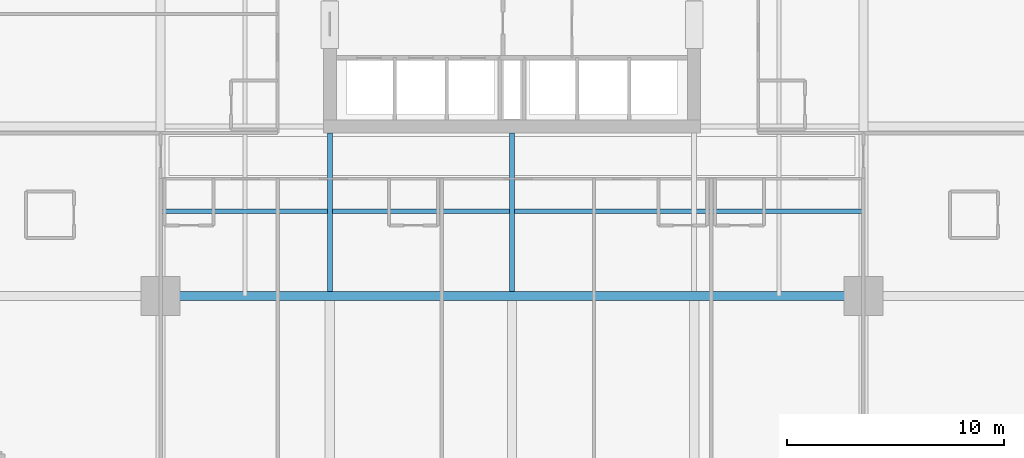
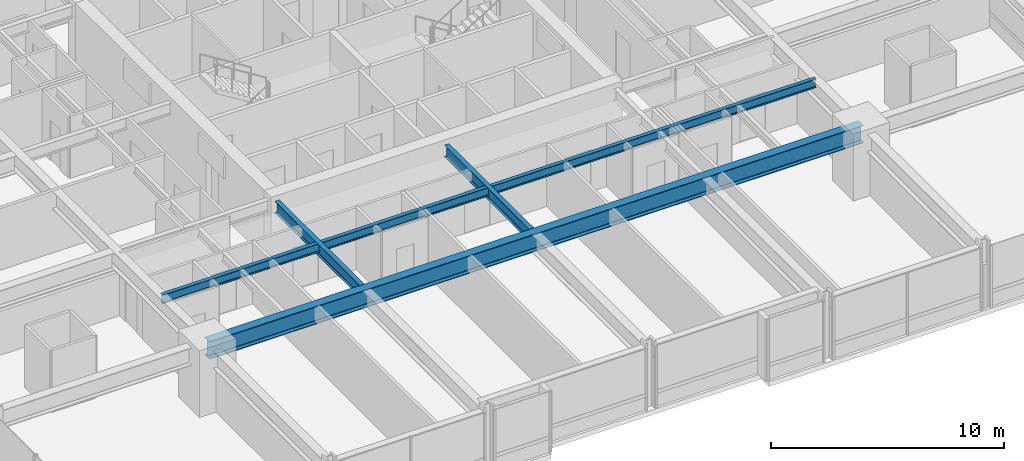
# One storey, part 6 of 39: 4 beams.
"""IFC4 building model written with IfcOpenShell, lengths in metres."""

from ifc_helpers import new_model, si_unit, direction, frame, origin, origin_2d, place, context, subcontext, project, spatial, i_section, extrude, material, material_profile, profile_set, type_object, element, save


model = new_model("IFC4")

# Units and contexts
model_context = context("Model", 3, precision=1e-05, world=origin(), true_north=direction((0.0, 1.0)))
body_context = subcontext(model_context, "Body", "Model", "MODEL_VIEW")
ifc_project = project(units=[si_unit("LENGTHUNIT", "METRE"), si_unit("AREAUNIT", "SQUARE_METRE"), si_unit("VOLUMEUNIT", "CUBIC_METRE"), si_unit("PLANEANGLEUNIT", "RADIAN"), si_unit("MASSUNIT", "GRAM", prefix="KILO")], contexts=[model_context])

# Site, building, storey
site_placement = place(None, origin())
site = spatial("IfcSite", under=ifc_project, at=site_placement, CompositionType="ELEMENT")
building_placement = place(site_placement, origin())
building = spatial("IfcBuilding", under=site, at=building_placement, Name="Drelvath Grand Hotel", CompositionType="ELEMENT")
storey_placement = place(building_placement, frame((0.0, 0.0, 54.199951171875)))
storey = spatial("IfcBuildingStorey", under=building, at=storey_placement, Name="L12", CompositionType="ELEMENT", Elevation=54.199951171875)

# Beams
ifc_material = material(Name="Steel ASTM A992 Gr 50", Category="steel")
ifc_material_profile_1 = material_profile(ifc_material, i_section(OverallWidth=0.19140625, OverallDepth=0.4599609375, WebThickness=0.010009765625, FlangeThickness=0.01611328125, FilletRadius=0.01611328125, at=origin_2d()), Name="W18X55")
ifc_profile_set_1 = profile_set([ifc_material_profile_1], Name="Steel ASTM A992 Gr 50")
beam_type_1 = type_object("IfcBeamType", Name="Composite Floor Joist W18X55", PredefinedType="JOIST", material=ifc_profile_set_1)
beam_1_placement = place(storey_placement, frame((-16.199951171875, 14.699951171875, 3.010009765625), z_axis=(1.0, 0.0, 0.0), x_axis=(0.0, 1.0, 0.0)))
element("IfcBeam", 1, at=beam_1_placement, inside=storey, type_object=beam_type_1, Name="L12 Floor Joist J1", PredefinedType="JOIST", context=body_context, shape_type="SweptSolid", body=[
    extrude(i_section(OverallWidth=0.19140625, OverallDepth=0.4599609375, WebThickness=0.010009765625, FlangeThickness=0.01611328125, FilletRadius=0.01611328125, at=origin_2d()), origin(), (0.0, 0.0, 1.0), 32.39990234375),
])
ifc_material_profile_2 = material_profile(ifc_material, i_section(OverallWidth=0.228271484375, OverallDepth=0.607666015625, WebThickness=0.01123046875, FlangeThickness=0.017333984375, FilletRadius=0.02001953125, at=origin_2d()), Name="W24X76")
ifc_profile_set_2 = profile_set([ifc_material_profile_2], Name="Steel ASTM A992 Gr 50")
beam_type_2 = type_object("IfcBeamType", Name="Primary Floor Girder W24X76", PredefinedType="BEAM", material=ifc_profile_set_2)
for number, where, z_axis, x_axis, name in (
    (2, (-8.39990234375, 11.00927734375, 2.936279296875), (0.0, 1.0, 0.0), (-1.0, 0.0, 0.0), "L12 South Core Tie 4"),
    (3, (0.0, 11.00927734375, 2.936279296875), (0.0, 1.0, 0.0), (-1.0, 0.0, 0.0), "L12 South Core Tie 5"),
):
    element("IfcBeam", number, at=place(storey_placement, frame(where, z_axis=z_axis, x_axis=x_axis)), inside=storey, type_object=beam_type_2, Name=name, PredefinedType="BEAM", context=body_context, shape_type="SweptSolid", body=[
        extrude(i_section(OverallWidth=0.228271484375, OverallDepth=0.607666015625, WebThickness=0.01123046875, FlangeThickness=0.017333984375, FilletRadius=0.02001953125, at=origin_2d()), origin(), (0.0, 0.0, 1.0), 7.290771484375),
    ])
ifc_material_profile_3 = material_profile(ifc_material, i_section(OverallWidth=0.418212890625, OverallDepth=0.926513671875, WebThickness=0.019287109375, FlangeThickness=0.031982421875, FilletRadius=0.028076171875, at=origin_2d()), Name="W36X231")
ifc_profile_set_3 = profile_set([ifc_material_profile_3], Name="Steel ASTM A992 Gr 50")
beam_type_3 = type_object("IfcBeamType", Name="Primary Floor Girder W36X231", PredefinedType="BEAM", material=ifc_profile_set_3)
beam_2_placement = place(storey_placement, frame((-16.199951171875, 10.800048828125, 2.77685546875), z_axis=(1.0, 0.0, 0.0), x_axis=(0.0, 1.0, 0.0)))
element("IfcBeam", 4, at=beam_2_placement, inside=storey, type_object=beam_type_3, Name="L12 Mega Ring Girder South", PredefinedType="BEAM", context=body_context, shape_type="SweptSolid", body=[
    extrude(i_section(OverallWidth=0.418212890625, OverallDepth=0.926513671875, WebThickness=0.019287109375, FlangeThickness=0.031982421875, FilletRadius=0.028076171875, at=origin_2d()), origin(), (0.0, 0.0, 1.0), 32.39990234375),
])

save(model, "model.ifc")
